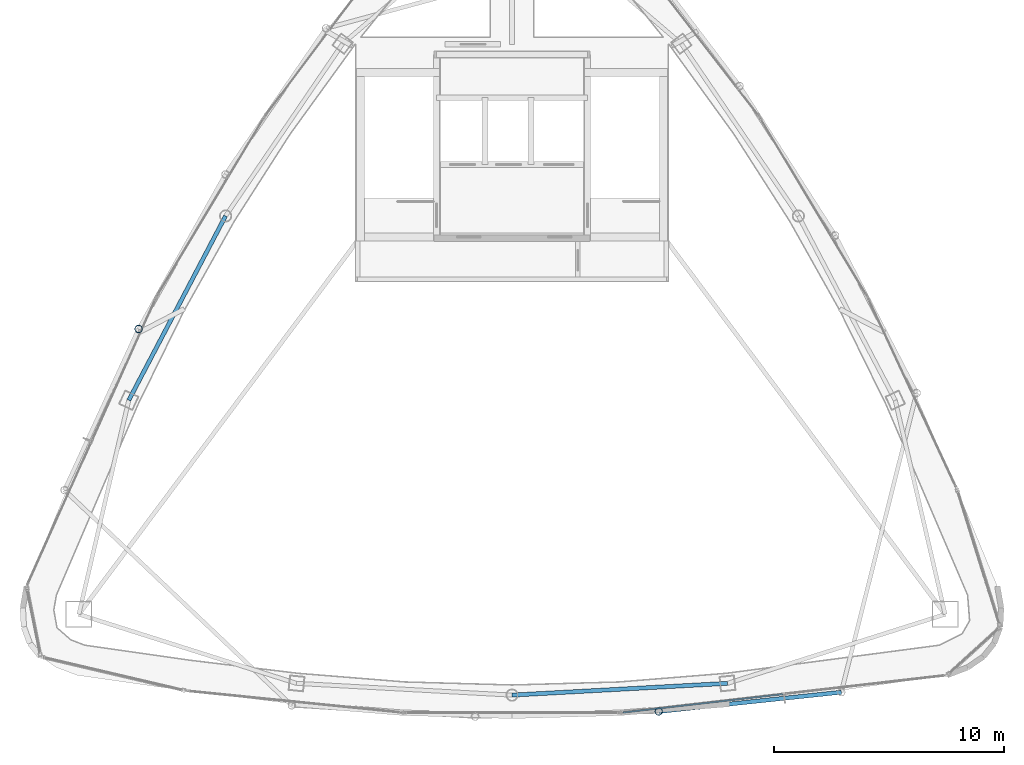
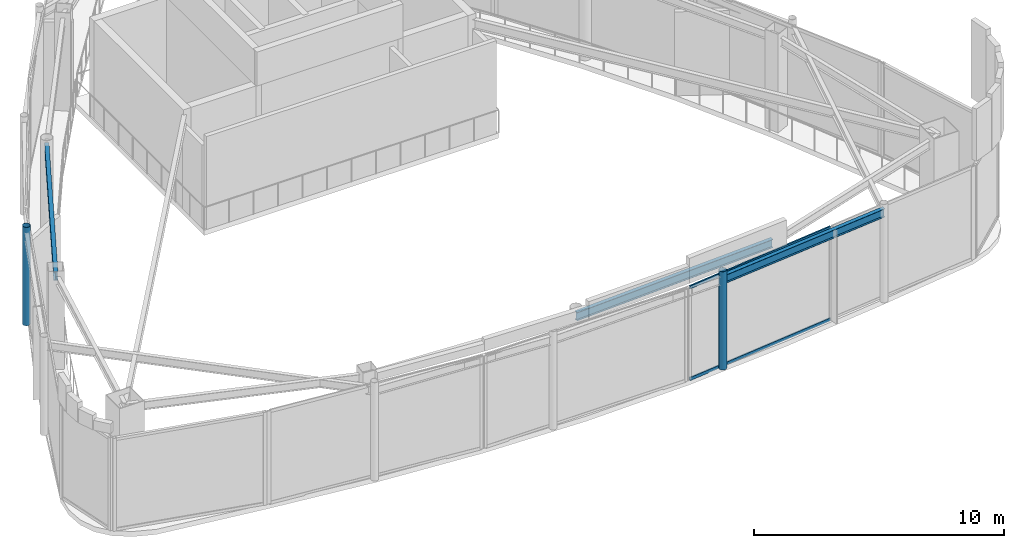
# One storey, part 7 of 18: 4 members, 3 beams, 1 element without a shape of its own.
"""IFC4 building model written with IfcOpenShell, lengths in metres."""

from ifc_helpers import new_model, si_unit, direction, frame, origin, origin_2d, place, context, subcontext, project, spatial, hollow_rectangle, hollow_circle, i_section, extrude, material, layer, layer_set, material_profile, profile_set, type_object, element, aggregate, save


model = new_model("IFC4")

# Units and contexts
model_context = context("Model", 3, precision=1e-05, world=origin(), true_north=direction((0.0, 1.0)))
body_context = subcontext(model_context, "Body", "Model", "MODEL_VIEW")
ifc_project = project(units=[si_unit("LENGTHUNIT", "METRE"), si_unit("AREAUNIT", "SQUARE_METRE"), si_unit("VOLUMEUNIT", "CUBIC_METRE"), si_unit("PLANEANGLEUNIT", "RADIAN"), si_unit("MASSUNIT", "GRAM", prefix="KILO")], contexts=[model_context])

# Site, building, storey
site_placement = place(None, origin())
site = spatial("IfcSite", under=ifc_project, at=site_placement, CompositionType="ELEMENT")
building_placement = place(site_placement, origin())
building = spatial("IfcBuilding", under=site, at=building_placement, Name="Orvanel Arch Residences", CompositionType="ELEMENT")
storey_placement = place(building_placement, frame((0.0, 0.0, 310.10009765625)))
storey = spatial("IfcBuildingStorey", under=building, at=storey_placement, Name="L86", CompositionType="ELEMENT", Elevation=310.10009765625)

# Beams
ifc_material_1 = material(Name="Structural steel AS/NZS 3679.1 Grade 300 (300 MPa)", Category="steel")
ifc_material_profile_1 = material_profile(ifc_material_1, i_section(OverallWidth=0.177978515625, OverallDepth=0.406005859375, WebThickness=0.0078125, FlangeThickness=0.0126953125, at=origin_2d()), Name="410UB59.7")
ifc_profile_set_1 = profile_set([ifc_material_profile_1], Name="Structural steel AS/NZS 3679.1 Grade 300 (300 MPa)")
beam_type_1 = type_object("IfcBeamType", Name="OB-410UB", PredefinedType="SPANDREL", material=ifc_profile_set_1)
beam_1_placement = place(storey_placement, frame((33.0, 6.843994140625, 4.3369140625), z_axis=(0.998510315598, 0.054563262768, 0.0), x_axis=(-0.054563262768, 0.998510315598, 0.0)))
element("IfcBeam", 1, at=beam_1_placement, inside=storey, type_object=beam_type_1, Name="L86 Perimeter Spandrel Beam 04", PredefinedType="SPANDREL", context=body_context, shape_type="SweptSolid", body=[
    extrude(i_section(OverallWidth=0.177978515625, OverallDepth=0.406005859375, WebThickness=0.0078125, FlangeThickness=0.0126953125, at=origin_2d()), origin(), (0.0, 0.0, 1.0), 9.364990234375),
])
beam_2_placement = place(storey_placement, frame((20.569091796875, 27.64111328125, 4.3369140625), z_axis=(-0.465064762793, -0.885276660942, 0.0), x_axis=(0.885276660942, -0.465064762793, 0.0)))
element("IfcBeam", 2, at=beam_2_placement, inside=storey, type_object=beam_type_1, Name="L86 Perimeter Spandrel Beam 12", PredefinedType="SPANDREL", context=body_context, shape_type="SweptSolid", body=[
    extrude(i_section(OverallWidth=0.177978515625, OverallDepth=0.406005859375, WebThickness=0.0078125, FlangeThickness=0.0126953125, at=origin_2d()), origin(), (0.0, 0.0, 1.0), 9.03564453125),
])
ifc_material_profile_2 = material_profile(ifc_material_1, i_section(OverallWidth=0.177978515625, OverallDepth=0.406005859375, WebThickness=0.0078125, FlangeThickness=0.0126953125, at=origin_2d()), Name="410UB59.7")
ifc_profile_set_2 = profile_set([ifc_material_profile_2], Name="Structural steel AS/NZS 3679.1 Grade 300 (300 MPa)")
beam_type_2 = type_object("IfcBeamType", Name="OB-410UB-EXT", PredefinedType="SPANDREL", material=ifc_profile_set_2)
beam_3_placement = place(storey_placement, frame((39.366943359375, 6.131103515625, 4.3369140625), z_axis=(0.994445876363, 0.1052492232, 0.0), x_axis=(-0.1052492232, 0.994445876363, 0.0)))
element("IfcBeam", 3, at=beam_3_placement, inside=storey, type_object=beam_type_2, Name="L86 Outer Perimeter Floor Ring Beam 07", PredefinedType="SPANDREL", context=body_context, shape_type="SweptSolid", body=[
    extrude(i_section(OverallWidth=0.177978515625, OverallDepth=0.406005859375, WebThickness=0.0078125, FlangeThickness=0.0126953125, at=origin_2d()), origin(), (0.0, 0.0, 1.0), 7.97021484375),
])

# Members
ifc_material_2 = material(Name="Structural steel AS/NZS 1163 C350L0 (Grade 350)", Category="steel")
ifc_material_profile_3 = material_profile(ifc_material_2, hollow_circle(Radius=0.162109375, WallThickness=0.0126953125, at=origin_2d()), Name="CHS324x12.7")
ifc_profile_set_3 = profile_set([ifc_material_profile_3], Name="Structural steel AS/NZS 1163 C350L0 (Grade 350)")
member_type_1 = type_object("IfcMemberType", Name="ST-324CHS-EXT", PredefinedType="STRUT", material=ifc_profile_set_3)
for number, where, z_axis, x_axis, name in (
    (4, (16.794921875, 22.73388671875, 0.0), (0.0, 0.0, 1.0), (1.0, 0.0, 0.0), "L86 Outer Perimeter Frame Post 03"),
    (5, (39.366943359375, 6.131103515625, 0.0), (0.0, 0.0, 1.0), (1.0, 0.0, 0.0), "L86 Outer Perimeter Frame Post 07"),
):
    element("IfcMember", number, at=place(storey_placement, frame(where, z_axis=z_axis, x_axis=x_axis)), inside=storey, type_object=member_type_1, Name=name, PredefinedType="STRUT", context=body_context, shape_type="SweptSolid", body=[
        extrude(hollow_circle(Radius=0.162109375, WallThickness=0.0126953125, at=origin_2d()), origin(), (0.0, 0.0, 1.0), 4.7998046875),
    ])

# Curtain wall, members
ifc_material_3 = material(Name="Bronze-anodised aluminium AA6063-T6", Category="aluminium")
ifc_layer = layer(ifc_material_3, 0.2099609375)
ifc_layer_set = layer_set([ifc_layer], Name="Bronze-anodised aluminium AA6063-T6")
curtain_wall_type = type_object("IfcCurtainWallType", Name="CW7-TOP-SYS", PredefinedType="NOTDEFINED", material=ifc_layer_set)
curtain_wall_placement = place(storey_placement, origin())
curtain_wall = element("IfcCurtainWall", 6, at=curtain_wall_placement, inside=storey, type_object=curtain_wall_type, Name="L86 CW7-TOP-SYS Unitised Curtain Wall", PredefinedType="NOTDEFINED")
ifc_material_profile_4 = material_profile(ifc_material_3, hollow_rectangle(XDim=0.06494140625, YDim=0.14990234375, WallThickness=0.00390625, at=origin_2d()), Name="ALU150x65x4")
ifc_profile_set_4 = profile_set([ifc_material_profile_4], Name="Bronze-anodised aluminium AA6063-T6")
member_type_2 = type_object("IfcMemberType", Name="TRN-150x65", PredefinedType="USERDEFINED", material=ifc_profile_set_4)
member_1_placement = place(storey_placement, frame((37.8154296875, 6.088623046875, 0.032470703125), z_axis=(0.993453799179, 0.114234622144, 0.0), x_axis=(-0.114234622144, 0.993453799179, 0.0)))
member_1 = element("IfcMember", 7, at=member_1_placement, type_object=member_type_2, Name="CW-S7 transom 1.1", ObjectType="TRANSOM", PredefinedType="USERDEFINED", context=body_context, shape_type="SweptSolid", body=[
    extrude(hollow_rectangle(XDim=0.06494140625, YDim=0.14990234375, WallThickness=0.00390625, at=origin_2d()), origin(), (0.0, 0.0, 1.0), 6.9951171875),
])
member_2_placement = place(storey_placement, frame((37.8154296875, 6.088623046875, 4.50732421875), z_axis=(0.993453799179, 0.114234622144, 0.0), x_axis=(-0.114234622144, 0.993453799179, 0.0)))
member_2 = element("IfcMember", 8, at=member_2_placement, type_object=member_type_2, Name="CW-S7 transom 1.2", ObjectType="TRANSOM", PredefinedType="USERDEFINED", context=body_context, shape_type="SweptSolid", body=[
    extrude(hollow_rectangle(XDim=0.06494140625, YDim=0.14990234375, WallThickness=0.00390625, at=origin_2d()), origin(), (0.0, 0.0, 1.0), 6.9951171875),
])
aggregate(curtain_wall, [member_1, member_2])

save(model, "model.ifc")
